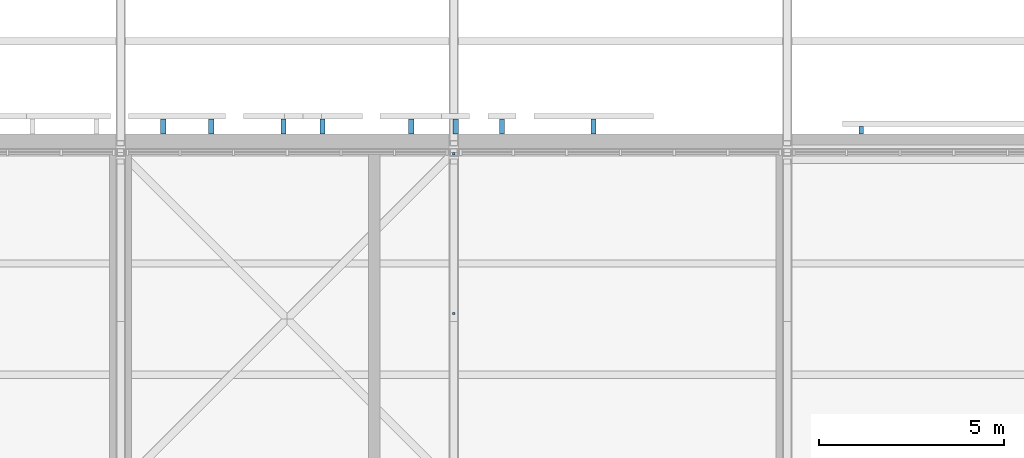
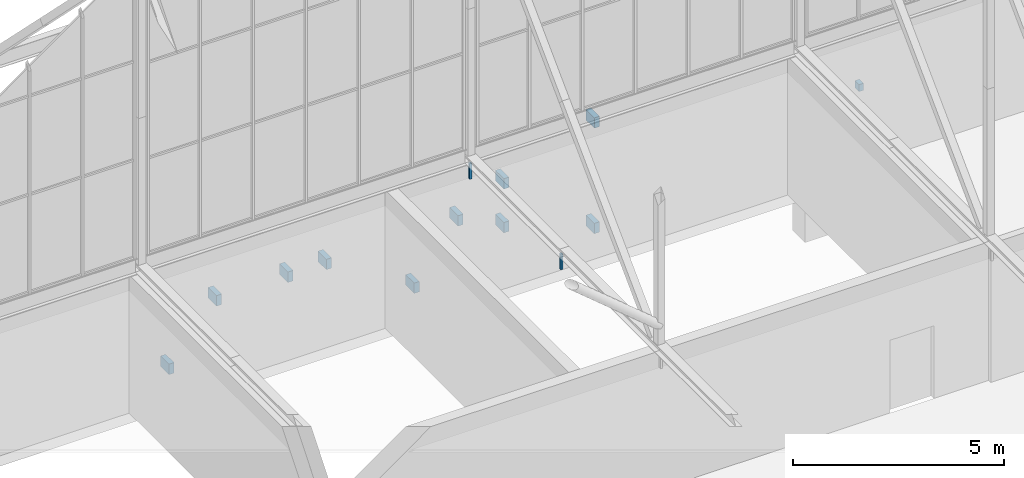
# One storey, part 233 of 646: 13 discrete accessories.
"""IFC4 building model written with IfcOpenShell, lengths in metres."""

from ifc_helpers import new_model, si_unit, direction, frame, origin, origin_2d, place, context, subcontext, project, spatial, rectangle, extrude, material, type_object, element, save


model = new_model("IFC4")

# Units and contexts
model_context = context("Model", 3, precision=1e-05, world=origin(), true_north=direction((0.0, 1.0)))
body_context = subcontext(model_context, "Body", "Model", "MODEL_VIEW")
ifc_project = project(units=[si_unit("LENGTHUNIT", "METRE"), si_unit("AREAUNIT", "SQUARE_METRE"), si_unit("VOLUMEUNIT", "CUBIC_METRE"), si_unit("PLANEANGLEUNIT", "RADIAN"), si_unit("MASSUNIT", "GRAM", prefix="KILO")], contexts=[model_context])

# Site, building, storey
site_placement = place(None, origin())
site = spatial("IfcSite", under=ifc_project, at=site_placement, CompositionType="ELEMENT")
building_placement = place(site_placement, origin())
building = spatial("IfcBuilding", under=site, at=building_placement, Name="Silverbay Arena", CompositionType="ELEMENT")
storey_placement = place(building_placement, frame((0.0, 0.0, 33.5)))
storey = spatial("IfcBuildingStorey", under=building, at=storey_placement, Name="L05", CompositionType="ELEMENT", Elevation=33.5)

# Discrete accessories
ifc_material_1 = material(Name="Steel S355", Category="steel")
discrete_accessory_type_1 = type_object("IfcDiscreteAccessoryType", Name="Ceiling hanger", PredefinedType="BRACKET", material=ifc_material_1)
for number, where, z_axis, x_axis, name in (
    (1, (171.0, 139.64990234375, 3.5498046875), (0.0, 0.0, 1.0), (1.0, 0.0, 0.0), "Ceiling hanger"),
    (2, (171.0, 143.9599609375, 3.5498046875), (0.0, 0.0, 1.0), (1.0, 0.0, 0.0), "Ceiling hanger"),
):
    element("IfcDiscreteAccessory", number, at=place(storey_placement, frame(where, z_axis=z_axis, x_axis=x_axis)), inside=storey, type_object=discrete_accessory_type_1, Name=name, PredefinedType="BRACKET", context=body_context, shape_type="SweptSolid", body=[
        extrude(rectangle(XDim=0.06005859375, YDim=0.06005859375, at=origin_2d()), origin(), (0.0, 0.0, 1.0), 0.449951171875),
    ])
ifc_material_2 = material(Name="Steel S355", Category="steel")
discrete_accessory_type_2 = type_object("IfcDiscreteAccessoryType", Name="Steel bracket plate", PredefinedType="BRACKET", material=ifc_material_2)
discrete_accessory_placement = place(storey_placement, frame((182.0, 144.60009765625, 1.89990234375), z_axis=(0.0, 0.0, 1.0), x_axis=(1.0, 0.0, 0.0)))
element("IfcDiscreteAccessory", 3, at=discrete_accessory_placement, inside=storey, type_object=discrete_accessory_type_2, Name="Louvre support bracket", PredefinedType="BRACKET", context=body_context, shape_type="SweptSolid", body=[
    extrude(rectangle(XDim=0.1201171875, YDim=0.199951171875, at=origin_2d()), origin(), (0.0, 0.0, 1.0), 0.199951171875),
])
for number, where, z_axis, x_axis, name in (
    (4, (174.77490234375, 144.699951171875, 3.375), (0.0, 0.0, 1.0), (1.0, 0.0, 0.0), "Name band bracket plate"),
    (5, (174.77490234375, 144.699951171875, 0.3251953125), (0.0, 0.0, 1.0), (1.0, 0.0, 0.0), "Name band bracket plate"),
    (6, (172.300048828125, 144.699951171875, 1.216796875), (0.0, 0.0, 1.0), (1.0, 0.0, 0.0), "Name band bracket plate"),
    (7, (172.300048828125, 144.699951171875, 2.4833984375), (0.0, 0.0, 1.0), (1.0, 0.0, 0.0), "Name band bracket plate"),
    (8, (171.050048828125, 144.699951171875, 1.85009765625), (0.0, 0.0, 1.0), (1.0, 0.0, 0.0), "Name band bracket plate"),
    (9, (169.85009765625, 144.699951171875, 0.3251953125), (0.0, 0.0, 1.0), (1.0, 0.0, 0.0), "Name band bracket plate"),
    (10, (167.449951171875, 144.699951171875, 1.85009765625), (0.0, 0.0, 1.0), (1.0, 0.0, 0.0), "Name band bracket plate"),
    (11, (166.39990234375, 144.699951171875, 1.85009765625), (0.0, 0.0, 1.0), (1.0, 0.0, 0.0), "Name band bracket plate"),
    (12, (164.449951171875, 144.699951171875, 1.85009765625), (0.0, 0.0, 1.0), (1.0, 0.0, 0.0), "Name band bracket plate"),
    (13, (163.14990234375, 144.699951171875, 0.3251953125), (0.0, 0.0, 1.0), (1.0, 0.0, 0.0), "Name band bracket plate"),
):
    element("IfcDiscreteAccessory", number, at=place(storey_placement, frame(where, z_axis=z_axis, x_axis=x_axis)), inside=storey, type_object=discrete_accessory_type_2, Name=name, PredefinedType="BRACKET", context=body_context, shape_type="SweptSolid", body=[
        extrude(rectangle(XDim=0.139892578125, YDim=0.39990234375, at=origin_2d()), origin(), (0.0, 0.0, 1.0), 0.300048828125),
    ])

save(model, "model.ifc")
